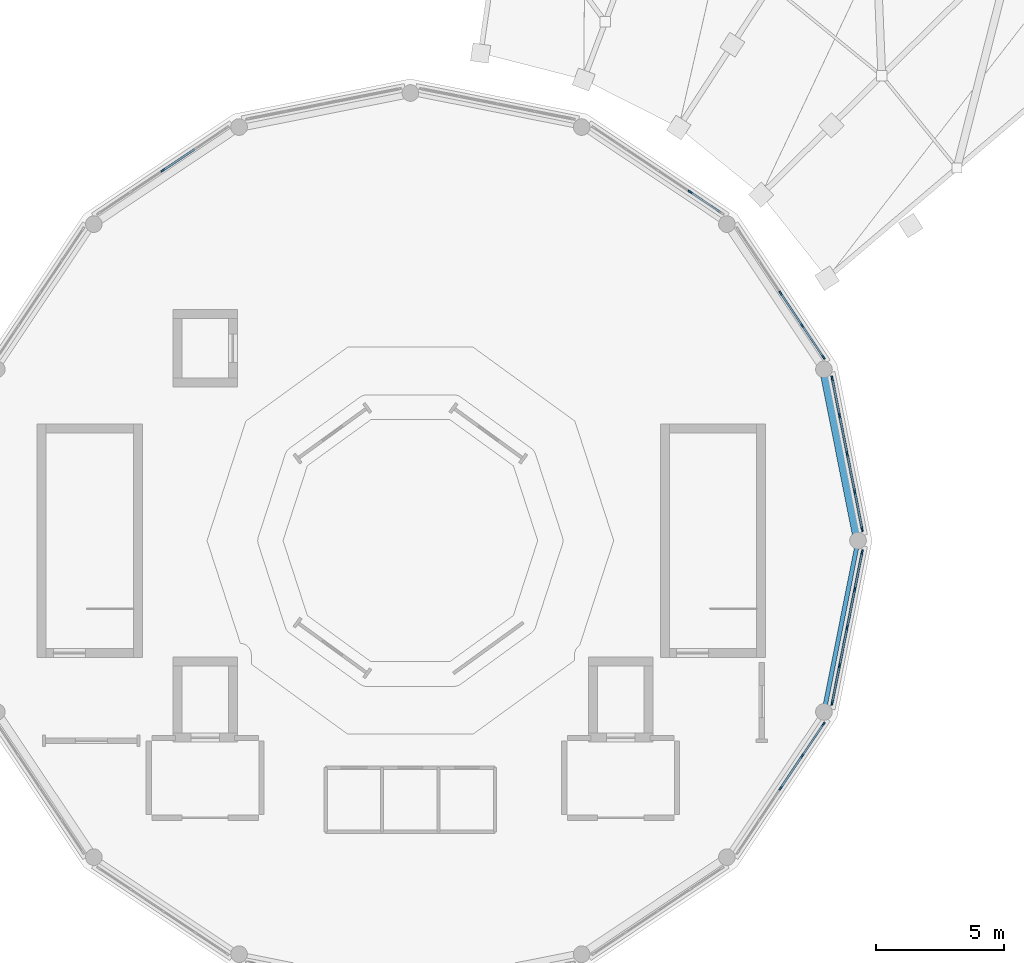
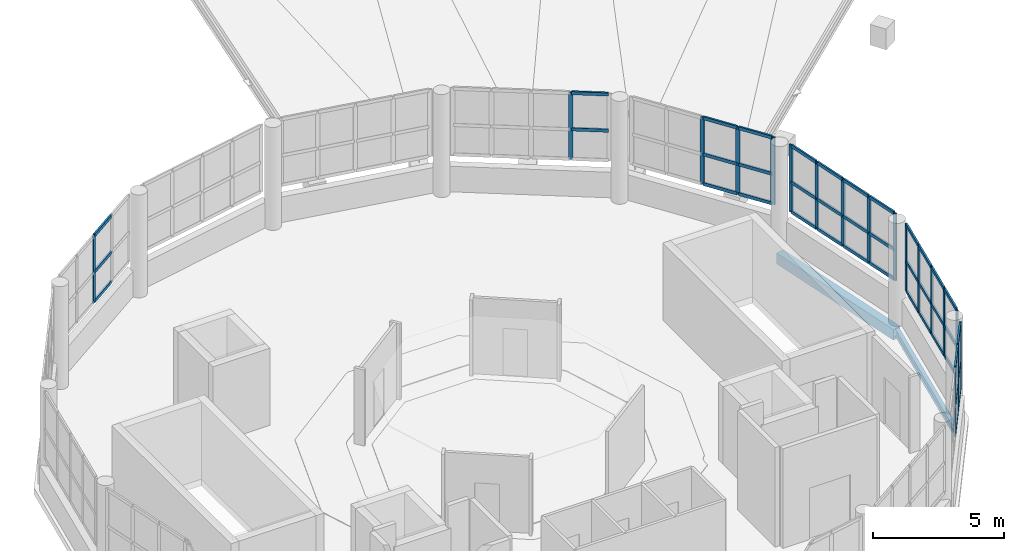
# One storey, part 5 of 12: 59 members, 2 beams, 6 elements without a shape of their own.
"""IFC4 building model written with IfcOpenShell, lengths in metres."""

from ifc_helpers import new_model, si_unit, direction, frame, origin, origin_2d, place, context, subcontext, project, spatial, rectangle, i_section, extrude, material, material_profile, profile_set, type_object, element, aggregate, save


model = new_model("IFC4")

# Units and contexts
model_context = context("Model", 3, precision=1e-05, world=origin(), true_north=direction((0.0, 1.0)))
body_context = subcontext(model_context, "Body", "Model", "MODEL_VIEW")
ifc_project = project(units=[si_unit("LENGTHUNIT", "METRE"), si_unit("AREAUNIT", "SQUARE_METRE"), si_unit("VOLUMEUNIT", "CUBIC_METRE"), si_unit("PLANEANGLEUNIT", "RADIAN"), si_unit("MASSUNIT", "GRAM", prefix="KILO")], contexts=[model_context])

# Site, building, storey
site_placement = place(None, origin())
site = spatial("IfcSite", under=ifc_project, at=site_placement, CompositionType="ELEMENT")
building_placement = place(site_placement, origin())
building = spatial("IfcBuilding", under=site, at=building_placement, Name="Soyqirgoq Riverine Aquarium", CompositionType="ELEMENT")
storey_placement = place(building_placement, frame((0.0, 0.0, 24.60009765625)))
storey = spatial("IfcBuildingStorey", under=building, at=storey_placement, Name="L06", CompositionType="ELEMENT", Elevation=24.60009765625)

# Curtain wall, members
ifc_material_1 = material(Name="Anodised aluminium acoustic solar-control clerestory glazing", Category="aluminium")
curtain_wall_type = type_object("IfcCurtainWallType", Name="CW_Clerestory_Ring", PredefinedType="NOTDEFINED", material=ifc_material_1)
curtain_wall_1_placement = place(storey_placement, origin())
curtain_wall_1 = element("IfcCurtainWall", 1, at=curtain_wall_1_placement, inside=storey, type_object=curtain_wall_type, Name="V1 L06 Curtain Wall 006", PredefinedType="NOTDEFINED")
ifc_material_2 = material(Name="Anodised aluminium 6063-T6", Category="aluminium")
ifc_material_profile_1 = material_profile(ifc_material_2, rectangle(XDim=0.06494140625, YDim=0.179931640625, at=origin_2d()), Name="ALU-M 65x180")
ifc_profile_set_1 = profile_set([ifc_material_profile_1], Name="Anodised aluminium 6063-T6")
member_type_1 = type_object("IfcMemberType", Name="CWMullion_65x180", PredefinedType="MULLION", material=ifc_profile_set_1)
member_1_placement = place(storey_placement, frame((73.61181640625, 57.44384765625, 1.619873046875), z_axis=(0.0, 0.0, 1.0), x_axis=(-0.980784299821, -0.19509525167, 0.0)))
member_1 = element("IfcMember", 2, at=member_1_placement, type_object=member_type_1, Name="CW-02 mullion 1", PredefinedType="MULLION", context=body_context, shape_type="SweptSolid", body=[
    extrude(rectangle(XDim=0.06494140625, YDim=0.179931640625, at=origin_2d()), origin(), (0.0, 0.0, 1.0), 3.14013671875),
])
member_2_placement = place(storey_placement, frame((73.322265625, 58.8994140625, 1.619873046875), z_axis=(0.0, 0.0, 1.0), x_axis=(-0.980784299821, -0.19509525167, 0.0)))
member_2 = element("IfcMember", 3, at=member_2_placement, type_object=member_type_1, Name="CW-02 mullion 2", PredefinedType="MULLION", context=body_context, shape_type="SweptSolid", body=[
    extrude(rectangle(XDim=0.06494140625, YDim=0.179931640625, at=origin_2d()), origin(), (0.0, 0.0, 1.0), 3.14013671875),
])
member_3_placement = place(storey_placement, frame((73.0263671875, 60.38671875, 1.619873046875), z_axis=(0.0, 0.0, 1.0), x_axis=(-0.980784299821, -0.19509525167, 0.0)))
member_3 = element("IfcMember", 4, at=member_3_placement, type_object=member_type_1, Name="CW-02 mullion 3", PredefinedType="MULLION", context=body_context, shape_type="SweptSolid", body=[
    extrude(rectangle(XDim=0.06494140625, YDim=0.179931640625, at=origin_2d()), origin(), (0.0, 0.0, 1.0), 3.14013671875),
])
member_4_placement = place(storey_placement, frame((72.73046875, 61.874267578125, 1.619873046875), z_axis=(0.0, 0.0, 1.0), x_axis=(-0.980784299821, -0.19509525167, 0.0)))
member_4 = element("IfcMember", 5, at=member_4_placement, type_object=member_type_1, Name="CW-02 mullion 4", PredefinedType="MULLION", context=body_context, shape_type="SweptSolid", body=[
    extrude(rectangle(XDim=0.06494140625, YDim=0.179931640625, at=origin_2d()), origin(), (0.0, 0.0, 1.0), 3.14013671875),
])
member_5_placement = place(storey_placement, frame((72.44091796875, 63.329833984375, 1.619873046875), z_axis=(0.0, 0.0, 1.0), x_axis=(-0.980784299821, -0.19509525167, 0.0)))
member_5 = element("IfcMember", 6, at=member_5_placement, type_object=member_type_1, Name="CW-02 mullion 5", PredefinedType="MULLION", context=body_context, shape_type="SweptSolid", body=[
    extrude(rectangle(XDim=0.06494140625, YDim=0.179931640625, at=origin_2d()), origin(), (0.0, 0.0, 1.0), 3.14013671875),
])

curtain_wall_2_placement = place(storey_placement, origin())
curtain_wall_2 = element("IfcCurtainWall", 7, at=curtain_wall_2_placement, inside=storey, type_object=curtain_wall_type, Name="V1 L06 Curtain Wall 008", PredefinedType="NOTDEFINED")
member_6_placement = place(storey_placement, frame((72.101318359375, 64.149658203125, 1.619873046875), z_axis=(0.0, 0.0, 1.0), x_axis=(-0.831463994905, -0.555578639957, 0.0)))
member_6 = element("IfcMember", 8, at=member_6_placement, type_object=member_type_1, Name="CW-02 mullion 1", PredefinedType="MULLION", context=body_context, shape_type="SweptSolid", body=[
    extrude(rectangle(XDim=0.06494140625, YDim=0.179931640625, at=origin_2d()), origin(), (0.0, 0.0, 1.0), 3.14013671875),
])
member_7_placement = place(storey_placement, frame((71.27685546875, 65.3837890625, 1.619873046875), z_axis=(0.0, 0.0, 1.0), x_axis=(-0.831463994905, -0.555578639957, 0.0)))
member_7 = element("IfcMember", 9, at=member_7_placement, type_object=member_type_1, Name="CW-02 mullion 2", PredefinedType="MULLION", context=body_context, shape_type="SweptSolid", body=[
    extrude(rectangle(XDim=0.06494140625, YDim=0.179931640625, at=origin_2d()), origin(), (0.0, 0.0, 1.0), 3.14013671875),
])
member_8_placement = place(storey_placement, frame((70.434326171875, 66.64453125, 1.619873046875), z_axis=(0.0, 0.0, 1.0), x_axis=(-0.831463994905, -0.555578639957, 0.0)))
member_8 = element("IfcMember", 10, at=member_8_placement, type_object=member_type_1, Name="CW-02 mullion 3", PredefinedType="MULLION", context=body_context, shape_type="SweptSolid", body=[
    extrude(rectangle(XDim=0.06494140625, YDim=0.179931640625, at=origin_2d()), origin(), (0.0, 0.0, 1.0), 3.14013671875),
])

# Curtain wall, member
curtain_wall_3_placement = place(storey_placement, origin())
curtain_wall_3 = element("IfcCurtainWall", 11, at=curtain_wall_3_placement, inside=storey, type_object=curtain_wall_type, Name="V1 L06 Curtain Wall 010", PredefinedType="NOTDEFINED")
member_9_placement = place(storey_placement, frame((66.905517578125, 70.591796875, 1.619873046875), z_axis=(0.0, 0.0, 1.0), x_axis=(-0.555578639957, -0.831463994905, 0.0)))
member_9 = element("IfcMember", 12, at=member_9_placement, type_object=member_type_1, Name="CW-02 mullion 2", PredefinedType="MULLION", context=body_context, shape_type="SweptSolid", body=[
    extrude(rectangle(XDim=0.06494140625, YDim=0.179931640625, at=origin_2d()), origin(), (0.0, 0.0, 1.0), 3.14013671875),
])

curtain_wall_4_placement = place(storey_placement, origin())
curtain_wall_4 = element("IfcCurtainWall", 13, at=curtain_wall_4_placement, inside=storey, type_object=curtain_wall_type, Name="V1 L06 Curtain Wall 021", PredefinedType="NOTDEFINED")
member_10_placement = place(storey_placement, frame((46.35546875, 71.434326171875, 1.619873046875), z_axis=(0.0, 0.0, 1.0), x_axis=(0.555578639957, -0.831463994905, 0.0)))
member_10 = element("IfcMember", 14, at=member_10_placement, type_object=member_type_1, Name="CW-02 mullion 3", PredefinedType="MULLION", context=body_context, shape_type="SweptSolid", body=[
    extrude(rectangle(XDim=0.06494140625, YDim=0.179931640625, at=origin_2d()), origin(), (0.0, 0.0, 1.0), 3.14013671875),
])

# Curtain wall, members
curtain_wall_5_placement = place(storey_placement, origin())
curtain_wall_5 = element("IfcCurtainWall", 15, at=curtain_wall_5_placement, inside=storey, type_object=curtain_wall_type, Name="V1 L06 Curtain Wall 070", PredefinedType="NOTDEFINED")
member_11_placement = place(storey_placement, frame((70.434326171875, 47.35546875, 1.619873046875), z_axis=(0.0, 0.0, 1.0), x_axis=(-0.831463994905, 0.555578639957, 0.0)))
member_11 = element("IfcMember", 16, at=member_11_placement, type_object=member_type_1, Name="CW-02 mullion 3", PredefinedType="MULLION", context=body_context, shape_type="SweptSolid", body=[
    extrude(rectangle(XDim=0.06494140625, YDim=0.179931640625, at=origin_2d()), origin(), (0.0, 0.0, 1.0), 3.14013671875),
])
member_12_placement = place(storey_placement, frame((71.27685546875, 48.6162109375, 1.619873046875), z_axis=(0.0, 0.0, 1.0), x_axis=(-0.831463994905, 0.555578639957, 0.0)))
member_12 = element("IfcMember", 17, at=member_12_placement, type_object=member_type_1, Name="CW-02 mullion 4", PredefinedType="MULLION", context=body_context, shape_type="SweptSolid", body=[
    extrude(rectangle(XDim=0.06494140625, YDim=0.179931640625, at=origin_2d()), origin(), (0.0, 0.0, 1.0), 3.14013671875),
])
member_13_placement = place(storey_placement, frame((72.101318359375, 49.850341796875, 1.619873046875), z_axis=(0.0, 0.0, 1.0), x_axis=(-0.831463994905, 0.555578639957, 0.0)))
member_13 = element("IfcMember", 18, at=member_13_placement, type_object=member_type_1, Name="CW-02 mullion 5", PredefinedType="MULLION", context=body_context, shape_type="SweptSolid", body=[
    extrude(rectangle(XDim=0.06494140625, YDim=0.179931640625, at=origin_2d()), origin(), (0.0, 0.0, 1.0), 3.14013671875),
])

curtain_wall_6_placement = place(storey_placement, origin())
curtain_wall_6 = element("IfcCurtainWall", 19, at=curtain_wall_6_placement, inside=storey, type_object=curtain_wall_type, Name="V1 L06 Curtain Wall 077", PredefinedType="NOTDEFINED")
member_14_placement = place(storey_placement, frame((72.44091796875, 50.670166015625, 1.619873046875), z_axis=(0.0, 0.0, 1.0), x_axis=(-0.980784299821, 0.19509525167, 0.0)))
member_14 = element("IfcMember", 20, at=member_14_placement, type_object=member_type_1, Name="CW-02 mullion 1", PredefinedType="MULLION", context=body_context, shape_type="SweptSolid", body=[
    extrude(rectangle(XDim=0.06494140625, YDim=0.179931640625, at=origin_2d()), origin(), (0.0, 0.0, 1.0), 3.14013671875),
])
member_15_placement = place(storey_placement, frame((72.73046875, 52.125732421875, 1.619873046875), z_axis=(0.0, 0.0, 1.0), x_axis=(-0.980784299821, 0.19509525167, 0.0)))
member_15 = element("IfcMember", 21, at=member_15_placement, type_object=member_type_1, Name="CW-02 mullion 2", PredefinedType="MULLION", context=body_context, shape_type="SweptSolid", body=[
    extrude(rectangle(XDim=0.06494140625, YDim=0.179931640625, at=origin_2d()), origin(), (0.0, 0.0, 1.0), 3.14013671875),
])
member_16_placement = place(storey_placement, frame((73.0263671875, 53.61328125, 1.619873046875), z_axis=(0.0, 0.0, 1.0), x_axis=(-0.980784299821, 0.19509525167, 0.0)))
member_16 = element("IfcMember", 22, at=member_16_placement, type_object=member_type_1, Name="CW-02 mullion 3", PredefinedType="MULLION", context=body_context, shape_type="SweptSolid", body=[
    extrude(rectangle(XDim=0.06494140625, YDim=0.179931640625, at=origin_2d()), origin(), (0.0, 0.0, 1.0), 3.14013671875),
])
member_17_placement = place(storey_placement, frame((73.322265625, 55.1005859375, 1.619873046875), z_axis=(0.0, 0.0, 1.0), x_axis=(-0.980784299821, 0.19509525167, 0.0)))
member_17 = element("IfcMember", 23, at=member_17_placement, type_object=member_type_1, Name="CW-02 mullion 4", PredefinedType="MULLION", context=body_context, shape_type="SweptSolid", body=[
    extrude(rectangle(XDim=0.06494140625, YDim=0.179931640625, at=origin_2d()), origin(), (0.0, 0.0, 1.0), 3.14013671875),
])
member_18_placement = place(storey_placement, frame((73.61181640625, 56.55615234375, 1.619873046875), z_axis=(0.0, 0.0, 1.0), x_axis=(-0.980784299821, 0.19509525167, 0.0)))
member_18 = element("IfcMember", 24, at=member_18_placement, type_object=member_type_1, Name="CW-02 mullion 5", PredefinedType="MULLION", context=body_context, shape_type="SweptSolid", body=[
    extrude(rectangle(XDim=0.06494140625, YDim=0.179931640625, at=origin_2d()), origin(), (0.0, 0.0, 1.0), 3.14013671875),
])

# Member
ifc_material_3 = material(Name="Anodised aluminium 6063-T6", Category="aluminium")
ifc_material_profile_2 = material_profile(ifc_material_3, rectangle(XDim=0.074951171875, YDim=0.14990234375, at=origin_2d()), Name="ALU-T 75x150")
ifc_profile_set_2 = profile_set([ifc_material_profile_2], Name="Anodised aluminium 6063-T6")
member_type_2 = type_object("IfcMemberType", Name="CWTransom_75x150", PredefinedType="USERDEFINED", material=ifc_profile_set_2)
member_19_placement = place(storey_placement, frame((73.60546875, 57.4755859375, 1.657470703125), z_axis=(-0.195090420246, 0.980785260864, 0.0), x_axis=(-0.980785260864, -0.195090420246, 0.0)))
member_19 = element("IfcMember", 25, at=member_19_placement, type_object=member_type_2, Name="CW-02 transom 1.1", ObjectType="TRANSOM", PredefinedType="USERDEFINED", context=body_context, shape_type="SweptSolid", body=[
    extrude(rectangle(XDim=0.074951171875, YDim=0.14990234375, at=origin_2d()), origin(), (0.0, 0.0, 1.0), 1.419189453125),
])

member_20_placement = place(storey_placement, frame((73.60546875, 57.4755859375, 3.032958984375), z_axis=(-0.195090420246, 0.980785260864, 0.0), x_axis=(-0.980785260864, -0.195090420246, 0.0)))
member_20 = element("IfcMember", 26, at=member_20_placement, type_object=member_type_2, Name="CW-02 transom 1.2", ObjectType="TRANSOM", PredefinedType="USERDEFINED", context=body_context, shape_type="SweptSolid", body=[
    extrude(rectangle(XDim=0.074951171875, YDim=0.14990234375, at=origin_2d()), origin(), (0.0, 0.0, 1.0), 1.419189453125),
])

member_21_placement = place(storey_placement, frame((73.60546875, 57.4755859375, 4.722412109375), z_axis=(-0.195090420246, 0.980785260864, 0.0), x_axis=(-0.980785260864, -0.195090420246, 0.0)))
member_21 = element("IfcMember", 27, at=member_21_placement, type_object=member_type_2, Name="CW-02 transom 1.3", ObjectType="TRANSOM", PredefinedType="USERDEFINED", context=body_context, shape_type="SweptSolid", body=[
    extrude(rectangle(XDim=0.074951171875, YDim=0.14990234375, at=origin_2d()), origin(), (0.0, 0.0, 1.0), 1.419189453125),
])

member_22_placement = place(storey_placement, frame((73.31591796875, 58.93115234375, 1.657470703125), z_axis=(-0.195081112847, 0.980787112176, 0.0), x_axis=(-0.980787112176, -0.195081112847, 0.0)))
member_22 = element("IfcMember", 28, at=member_22_placement, type_object=member_type_2, Name="CW-02 transom 2.1", ObjectType="TRANSOM", PredefinedType="USERDEFINED", context=body_context, shape_type="SweptSolid", body=[
    extrude(rectangle(XDim=0.074951171875, YDim=0.14990234375, at=origin_2d()), origin(), (0.0, 0.0, 1.0), 1.45166015625),
])

member_23_placement = place(storey_placement, frame((73.31591796875, 58.93115234375, 3.032958984375), z_axis=(-0.195081112847, 0.980787112176, 0.0), x_axis=(-0.980787112176, -0.195081112847, 0.0)))
member_23 = element("IfcMember", 29, at=member_23_placement, type_object=member_type_2, Name="CW-02 transom 2.2", ObjectType="TRANSOM", PredefinedType="USERDEFINED", context=body_context, shape_type="SweptSolid", body=[
    extrude(rectangle(XDim=0.074951171875, YDim=0.14990234375, at=origin_2d()), origin(), (0.0, 0.0, 1.0), 1.45166015625),
])

member_24_placement = place(storey_placement, frame((73.31591796875, 58.93115234375, 4.722412109375), z_axis=(-0.195081112847, 0.980787112176, 0.0), x_axis=(-0.980787112176, -0.195081112847, 0.0)))
member_24 = element("IfcMember", 30, at=member_24_placement, type_object=member_type_2, Name="CW-02 transom 2.3", ObjectType="TRANSOM", PredefinedType="USERDEFINED", context=body_context, shape_type="SweptSolid", body=[
    extrude(rectangle(XDim=0.074951171875, YDim=0.14990234375, at=origin_2d()), origin(), (0.0, 0.0, 1.0), 1.45166015625),
])

member_25_placement = place(storey_placement, frame((73.02001953125, 60.418701171875, 1.657470703125), z_axis=(-0.195113295173, 0.980780710478, 0.0), x_axis=(-0.980780710478, -0.195113295173, 0.0)))
member_25 = element("IfcMember", 31, at=member_25_placement, type_object=member_type_2, Name="CW-02 transom 3.1", ObjectType="TRANSOM", PredefinedType="USERDEFINED", context=body_context, shape_type="SweptSolid", body=[
    extrude(rectangle(XDim=0.074951171875, YDim=0.14990234375, at=origin_2d()), origin(), (0.0, 0.0, 1.0), 1.451416015625),
])

member_26_placement = place(storey_placement, frame((73.02001953125, 60.418701171875, 3.032958984375), z_axis=(-0.195113295173, 0.980780710478, 0.0), x_axis=(-0.980780710478, -0.195113295173, 0.0)))
member_26 = element("IfcMember", 32, at=member_26_placement, type_object=member_type_2, Name="CW-02 transom 3.2", ObjectType="TRANSOM", PredefinedType="USERDEFINED", context=body_context, shape_type="SweptSolid", body=[
    extrude(rectangle(XDim=0.074951171875, YDim=0.14990234375, at=origin_2d()), origin(), (0.0, 0.0, 1.0), 1.451416015625),
])

member_27_placement = place(storey_placement, frame((73.02001953125, 60.418701171875, 4.722412109375), z_axis=(-0.195113295173, 0.980780710478, 0.0), x_axis=(-0.980780710478, -0.195113295173, 0.0)))
member_27 = element("IfcMember", 33, at=member_27_placement, type_object=member_type_2, Name="CW-02 transom 3.3", ObjectType="TRANSOM", PredefinedType="USERDEFINED", context=body_context, shape_type="SweptSolid", body=[
    extrude(rectangle(XDim=0.074951171875, YDim=0.14990234375, at=origin_2d()), origin(), (0.0, 0.0, 1.0), 1.451416015625),
])

member_28_placement = place(storey_placement, frame((72.72412109375, 61.906005859375, 1.657470703125), z_axis=(-0.195090420246, 0.980785260864, 0.0), x_axis=(-0.980785260864, -0.195090420246, 0.0)))
member_28 = element("IfcMember", 34, at=member_28_placement, type_object=member_type_2, Name="CW-02 transom 4.1", ObjectType="TRANSOM", PredefinedType="USERDEFINED", context=body_context, shape_type="SweptSolid", body=[
    extrude(rectangle(XDim=0.074951171875, YDim=0.14990234375, at=origin_2d()), origin(), (0.0, 0.0, 1.0), 1.419189453125),
])

member_29_placement = place(storey_placement, frame((72.72412109375, 61.906005859375, 3.032958984375), z_axis=(-0.195090420246, 0.980785260864, 0.0), x_axis=(-0.980785260864, -0.195090420246, 0.0)))
member_29 = element("IfcMember", 35, at=member_29_placement, type_object=member_type_2, Name="CW-02 transom 4.2", ObjectType="TRANSOM", PredefinedType="USERDEFINED", context=body_context, shape_type="SweptSolid", body=[
    extrude(rectangle(XDim=0.074951171875, YDim=0.14990234375, at=origin_2d()), origin(), (0.0, 0.0, 1.0), 1.419189453125),
])

member_30_placement = place(storey_placement, frame((72.72412109375, 61.906005859375, 4.722412109375), z_axis=(-0.195090420246, 0.980785260864, 0.0), x_axis=(-0.980785260864, -0.195090420246, 0.0)))
member_30 = element("IfcMember", 36, at=member_30_placement, type_object=member_type_2, Name="CW-02 transom 4.3", ObjectType="TRANSOM", PredefinedType="USERDEFINED", context=body_context, shape_type="SweptSolid", body=[
    extrude(rectangle(XDim=0.074951171875, YDim=0.14990234375, at=origin_2d()), origin(), (0.0, 0.0, 1.0), 1.419189453125),
])

aggregate(curtain_wall_1, [member_1, member_2, member_3, member_4, member_5, member_19, member_20, member_21, member_22, member_23, member_24, member_25, member_26, member_27, member_28, member_29, member_30])

member_31_placement = place(storey_placement, frame((72.083251953125, 64.1767578125, 1.657470703125), z_axis=(-0.55553367483, 0.831494038542, 0.0), x_axis=(-0.831494038542, -0.55553367483, 0.0)))
member_31 = element("IfcMember", 37, at=member_31_placement, type_object=member_type_2, Name="CW-02 transom 1.1", ObjectType="TRANSOM", PredefinedType="USERDEFINED", context=body_context, shape_type="SweptSolid", body=[
    extrude(rectangle(XDim=0.074951171875, YDim=0.14990234375, at=origin_2d()), origin(), (0.0, 0.0, 1.0), 1.4189453125),
])

member_32_placement = place(storey_placement, frame((72.083251953125, 64.1767578125, 3.032958984375), z_axis=(-0.55553367483, 0.831494038542, 0.0), x_axis=(-0.831494038542, -0.55553367483, 0.0)))
member_32 = element("IfcMember", 38, at=member_32_placement, type_object=member_type_2, Name="CW-02 transom 1.2", ObjectType="TRANSOM", PredefinedType="USERDEFINED", context=body_context, shape_type="SweptSolid", body=[
    extrude(rectangle(XDim=0.074951171875, YDim=0.14990234375, at=origin_2d()), origin(), (0.0, 0.0, 1.0), 1.4189453125),
])

member_33_placement = place(storey_placement, frame((72.083251953125, 64.1767578125, 4.722412109375), z_axis=(-0.55553367483, 0.831494038542, 0.0), x_axis=(-0.831494038542, -0.55553367483, 0.0)))
member_33 = element("IfcMember", 39, at=member_33_placement, type_object=member_type_2, Name="CW-02 transom 1.3", ObjectType="TRANSOM", PredefinedType="USERDEFINED", context=body_context, shape_type="SweptSolid", body=[
    extrude(rectangle(XDim=0.074951171875, YDim=0.14990234375, at=origin_2d()), origin(), (0.0, 0.0, 1.0), 1.4189453125),
])

member_34_placement = place(storey_placement, frame((71.2587890625, 65.41064453125, 1.657470703125), z_axis=(-0.555514980368, 0.831506528289, 0.0), x_axis=(-0.831506528289, -0.555514980368, 0.0)))
member_34 = element("IfcMember", 40, at=member_34_placement, type_object=member_type_2, Name="CW-02 transom 2.1", ObjectType="TRANSOM", PredefinedType="USERDEFINED", context=body_context, shape_type="SweptSolid", body=[
    extrude(rectangle(XDim=0.074951171875, YDim=0.14990234375, at=origin_2d()), origin(), (0.0, 0.0, 1.0), 1.45166015625),
])

member_35_placement = place(storey_placement, frame((71.2587890625, 65.41064453125, 3.032958984375), z_axis=(-0.555514980368, 0.831506528289, 0.0), x_axis=(-0.831506528289, -0.555514980368, 0.0)))
member_35 = element("IfcMember", 41, at=member_35_placement, type_object=member_type_2, Name="CW-02 transom 2.2", ObjectType="TRANSOM", PredefinedType="USERDEFINED", context=body_context, shape_type="SweptSolid", body=[
    extrude(rectangle(XDim=0.074951171875, YDim=0.14990234375, at=origin_2d()), origin(), (0.0, 0.0, 1.0), 1.45166015625),
])

member_36_placement = place(storey_placement, frame((71.2587890625, 65.41064453125, 4.722412109375), z_axis=(-0.555514980368, 0.831506528289, 0.0), x_axis=(-0.831506528289, -0.555514980368, 0.0)))
member_36 = element("IfcMember", 42, at=member_36_placement, type_object=member_type_2, Name="CW-02 transom 2.3", ObjectType="TRANSOM", PredefinedType="USERDEFINED", context=body_context, shape_type="SweptSolid", body=[
    extrude(rectangle(XDim=0.074951171875, YDim=0.14990234375, at=origin_2d()), origin(), (0.0, 0.0, 1.0), 1.45166015625),
])

aggregate(curtain_wall_2, [member_6, member_7, member_8, member_31, member_32, member_33, member_34, member_35, member_36])

member_37_placement = place(storey_placement, frame((68.112548828125, 69.78515625, 3.032958984375), z_axis=(-0.831414566046, 0.555652606731, 0.0), x_axis=(-0.555652606731, -0.831414566046, 0.0)))
member_37 = element("IfcMember", 43, at=member_37_placement, type_object=member_type_2, Name="CW-02 transom 1.2", ObjectType="TRANSOM", PredefinedType="USERDEFINED", context=body_context, shape_type="SweptSolid", body=[
    extrude(rectangle(XDim=0.074951171875, YDim=0.14990234375, at=origin_2d()), origin(), (0.0, 0.0, 1.0), 1.419189453125),
])

member_38_placement = place(storey_placement, frame((68.112548828125, 69.78515625, 4.722412109375), z_axis=(-0.831414566046, 0.555652606731, 0.0), x_axis=(-0.555652606731, -0.831414566046, 0.0)))
member_38 = element("IfcMember", 44, at=member_38_placement, type_object=member_type_2, Name="CW-02 transom 1.3", ObjectType="TRANSOM", PredefinedType="USERDEFINED", context=body_context, shape_type="SweptSolid", body=[
    extrude(rectangle(XDim=0.074951171875, YDim=0.14990234375, at=origin_2d()), origin(), (0.0, 0.0, 1.0), 1.419189453125),
])

aggregate(curtain_wall_3, [member_9, member_37, member_38])

member_39_placement = place(storey_placement, frame((47.58935546875, 72.2587890625, 1.657470703125), z_axis=(-0.831506528289, -0.555514980368, 0.0), x_axis=(0.555514980368, -0.831506528289, 0.0)))
member_39 = element("IfcMember", 45, at=member_39_placement, type_object=member_type_2, Name="CW-02 transom 2.1", ObjectType="TRANSOM", PredefinedType="USERDEFINED", context=body_context, shape_type="SweptSolid", body=[
    extrude(rectangle(XDim=0.074951171875, YDim=0.14990234375, at=origin_2d()), origin(), (0.0, 0.0, 1.0), 1.45166015625),
])

member_40_placement = place(storey_placement, frame((47.58935546875, 72.2587890625, 3.032958984375), z_axis=(-0.831506528289, -0.555514980368, 0.0), x_axis=(0.555514980368, -0.831506528289, 0.0)))
member_40 = element("IfcMember", 46, at=member_40_placement, type_object=member_type_2, Name="CW-02 transom 2.2", ObjectType="TRANSOM", PredefinedType="USERDEFINED", context=body_context, shape_type="SweptSolid", body=[
    extrude(rectangle(XDim=0.074951171875, YDim=0.14990234375, at=origin_2d()), origin(), (0.0, 0.0, 1.0), 1.45166015625),
])

member_41_placement = place(storey_placement, frame((47.58935546875, 72.2587890625, 4.722412109375), z_axis=(-0.831506528289, -0.555514980368, 0.0), x_axis=(0.555514980368, -0.831506528289, 0.0)))
member_41 = element("IfcMember", 47, at=member_41_placement, type_object=member_type_2, Name="CW-02 transom 2.3", ObjectType="TRANSOM", PredefinedType="USERDEFINED", context=body_context, shape_type="SweptSolid", body=[
    extrude(rectangle(XDim=0.074951171875, YDim=0.14990234375, at=origin_2d()), origin(), (0.0, 0.0, 1.0), 1.45166015625),
])

aggregate(curtain_wall_4, [member_10, member_39, member_40, member_41])

member_42_placement = place(storey_placement, frame((70.452392578125, 47.38232421875, 1.657470703125), z_axis=(0.555514980368, 0.831506528289, 0.0), x_axis=(-0.831506528289, 0.555514980368, 0.0)))
member_42 = element("IfcMember", 48, at=member_42_placement, type_object=member_type_2, Name="CW-02 transom 3.1", ObjectType="TRANSOM", PredefinedType="USERDEFINED", context=body_context, shape_type="SweptSolid", body=[
    extrude(rectangle(XDim=0.074951171875, YDim=0.14990234375, at=origin_2d()), origin(), (0.0, 0.0, 1.0), 1.45166015625),
])

member_43_placement = place(storey_placement, frame((70.452392578125, 47.38232421875, 3.032958984375), z_axis=(0.555514980368, 0.831506528289, 0.0), x_axis=(-0.831506528289, 0.555514980368, 0.0)))
member_43 = element("IfcMember", 49, at=member_43_placement, type_object=member_type_2, Name="CW-02 transom 3.2", ObjectType="TRANSOM", PredefinedType="USERDEFINED", context=body_context, shape_type="SweptSolid", body=[
    extrude(rectangle(XDim=0.074951171875, YDim=0.14990234375, at=origin_2d()), origin(), (0.0, 0.0, 1.0), 1.45166015625),
])

member_44_placement = place(storey_placement, frame((70.452392578125, 47.38232421875, 4.722412109375), z_axis=(0.555514980368, 0.831506528289, 0.0), x_axis=(-0.831506528289, 0.555514980368, 0.0)))
member_44 = element("IfcMember", 50, at=member_44_placement, type_object=member_type_2, Name="CW-02 transom 3.3", ObjectType="TRANSOM", PredefinedType="USERDEFINED", context=body_context, shape_type="SweptSolid", body=[
    extrude(rectangle(XDim=0.074951171875, YDim=0.14990234375, at=origin_2d()), origin(), (0.0, 0.0, 1.0), 1.45166015625),
])

member_45_placement = place(storey_placement, frame((71.294921875, 48.643310546875, 1.657470703125), z_axis=(0.55553367483, 0.831494038542, 0.0), x_axis=(-0.831494038542, 0.55553367483, 0.0)))
member_45 = element("IfcMember", 51, at=member_45_placement, type_object=member_type_2, Name="CW-02 transom 4.1", ObjectType="TRANSOM", PredefinedType="USERDEFINED", context=body_context, shape_type="SweptSolid", body=[
    extrude(rectangle(XDim=0.074951171875, YDim=0.14990234375, at=origin_2d()), origin(), (0.0, 0.0, 1.0), 1.4189453125),
])

member_46_placement = place(storey_placement, frame((71.294921875, 48.643310546875, 3.032958984375), z_axis=(0.55553367483, 0.831494038542, 0.0), x_axis=(-0.831494038542, 0.55553367483, 0.0)))
member_46 = element("IfcMember", 52, at=member_46_placement, type_object=member_type_2, Name="CW-02 transom 4.2", ObjectType="TRANSOM", PredefinedType="USERDEFINED", context=body_context, shape_type="SweptSolid", body=[
    extrude(rectangle(XDim=0.074951171875, YDim=0.14990234375, at=origin_2d()), origin(), (0.0, 0.0, 1.0), 1.4189453125),
])

member_47_placement = place(storey_placement, frame((71.294921875, 48.643310546875, 4.722412109375), z_axis=(0.55553367483, 0.831494038542, 0.0), x_axis=(-0.831494038542, 0.55553367483, 0.0)))
member_47 = element("IfcMember", 53, at=member_47_placement, type_object=member_type_2, Name="CW-02 transom 4.3", ObjectType="TRANSOM", PredefinedType="USERDEFINED", context=body_context, shape_type="SweptSolid", body=[
    extrude(rectangle(XDim=0.074951171875, YDim=0.14990234375, at=origin_2d()), origin(), (0.0, 0.0, 1.0), 1.4189453125),
])

aggregate(curtain_wall_5, [member_11, member_12, member_13, member_42, member_43, member_44, member_45, member_46, member_47])

member_48_placement = place(storey_placement, frame((72.447265625, 50.7021484375, 1.657470703125), z_axis=(0.195090420246, 0.980785260864, 0.0), x_axis=(-0.980785260864, 0.195090420246, 0.0)))
member_48 = element("IfcMember", 54, at=member_48_placement, type_object=member_type_2, Name="CW-02 transom 1.1", ObjectType="TRANSOM", PredefinedType="USERDEFINED", context=body_context, shape_type="SweptSolid", body=[
    extrude(rectangle(XDim=0.074951171875, YDim=0.14990234375, at=origin_2d()), origin(), (0.0, 0.0, 1.0), 1.419189453125),
])

member_49_placement = place(storey_placement, frame((72.447265625, 50.7021484375, 3.032958984375), z_axis=(0.195090420246, 0.980785260864, 0.0), x_axis=(-0.980785260864, 0.195090420246, 0.0)))
member_49 = element("IfcMember", 55, at=member_49_placement, type_object=member_type_2, Name="CW-02 transom 1.2", ObjectType="TRANSOM", PredefinedType="USERDEFINED", context=body_context, shape_type="SweptSolid", body=[
    extrude(rectangle(XDim=0.074951171875, YDim=0.14990234375, at=origin_2d()), origin(), (0.0, 0.0, 1.0), 1.419189453125),
])

member_50_placement = place(storey_placement, frame((72.447265625, 50.7021484375, 4.722412109375), z_axis=(0.195090420246, 0.980785260864, 0.0), x_axis=(-0.980785260864, 0.195090420246, 0.0)))
member_50 = element("IfcMember", 56, at=member_50_placement, type_object=member_type_2, Name="CW-02 transom 1.3", ObjectType="TRANSOM", PredefinedType="USERDEFINED", context=body_context, shape_type="SweptSolid", body=[
    extrude(rectangle(XDim=0.074951171875, YDim=0.14990234375, at=origin_2d()), origin(), (0.0, 0.0, 1.0), 1.419189453125),
])

member_51_placement = place(storey_placement, frame((72.73681640625, 52.15771484375, 1.657470703125), z_axis=(0.195113295173, 0.980780710478, 0.0), x_axis=(-0.980780710478, 0.195113295173, 0.0)))
member_51 = element("IfcMember", 57, at=member_51_placement, type_object=member_type_2, Name="CW-02 transom 2.1", ObjectType="TRANSOM", PredefinedType="USERDEFINED", context=body_context, shape_type="SweptSolid", body=[
    extrude(rectangle(XDim=0.074951171875, YDim=0.14990234375, at=origin_2d()), origin(), (0.0, 0.0, 1.0), 1.451416015625),
])

member_52_placement = place(storey_placement, frame((72.73681640625, 52.15771484375, 3.032958984375), z_axis=(0.195113295173, 0.980780710478, 0.0), x_axis=(-0.980780710478, 0.195113295173, 0.0)))
member_52 = element("IfcMember", 58, at=member_52_placement, type_object=member_type_2, Name="CW-02 transom 2.2", ObjectType="TRANSOM", PredefinedType="USERDEFINED", context=body_context, shape_type="SweptSolid", body=[
    extrude(rectangle(XDim=0.074951171875, YDim=0.14990234375, at=origin_2d()), origin(), (0.0, 0.0, 1.0), 1.451416015625),
])

member_53_placement = place(storey_placement, frame((72.73681640625, 52.15771484375, 4.722412109375), z_axis=(0.195113295173, 0.980780710478, 0.0), x_axis=(-0.980780710478, 0.195113295173, 0.0)))
member_53 = element("IfcMember", 59, at=member_53_placement, type_object=member_type_2, Name="CW-02 transom 2.3", ObjectType="TRANSOM", PredefinedType="USERDEFINED", context=body_context, shape_type="SweptSolid", body=[
    extrude(rectangle(XDim=0.074951171875, YDim=0.14990234375, at=origin_2d()), origin(), (0.0, 0.0, 1.0), 1.451416015625),
])

member_54_placement = place(storey_placement, frame((73.03271484375, 53.64501953125, 1.657470703125), z_axis=(0.195081112847, 0.980787112176, 0.0), x_axis=(-0.980787112176, 0.195081112847, 0.0)))
member_54 = element("IfcMember", 60, at=member_54_placement, type_object=member_type_2, Name="CW-02 transom 3.1", ObjectType="TRANSOM", PredefinedType="USERDEFINED", context=body_context, shape_type="SweptSolid", body=[
    extrude(rectangle(XDim=0.074951171875, YDim=0.14990234375, at=origin_2d()), origin(), (0.0, 0.0, 1.0), 1.45166015625),
])

member_55_placement = place(storey_placement, frame((73.03271484375, 53.64501953125, 3.032958984375), z_axis=(0.195081112847, 0.980787112176, 0.0), x_axis=(-0.980787112176, 0.195081112847, 0.0)))
member_55 = element("IfcMember", 61, at=member_55_placement, type_object=member_type_2, Name="CW-02 transom 3.2", ObjectType="TRANSOM", PredefinedType="USERDEFINED", context=body_context, shape_type="SweptSolid", body=[
    extrude(rectangle(XDim=0.074951171875, YDim=0.14990234375, at=origin_2d()), origin(), (0.0, 0.0, 1.0), 1.45166015625),
])

member_56_placement = place(storey_placement, frame((73.03271484375, 53.64501953125, 4.722412109375), z_axis=(0.195081112847, 0.980787112176, 0.0), x_axis=(-0.980787112176, 0.195081112847, 0.0)))
member_56 = element("IfcMember", 62, at=member_56_placement, type_object=member_type_2, Name="CW-02 transom 3.3", ObjectType="TRANSOM", PredefinedType="USERDEFINED", context=body_context, shape_type="SweptSolid", body=[
    extrude(rectangle(XDim=0.074951171875, YDim=0.14990234375, at=origin_2d()), origin(), (0.0, 0.0, 1.0), 1.45166015625),
])

member_57_placement = place(storey_placement, frame((73.32861328125, 55.132568359375, 1.657470703125), z_axis=(0.195090420246, 0.980785260864, 0.0), x_axis=(-0.980785260864, 0.195090420246, 0.0)))
member_57 = element("IfcMember", 63, at=member_57_placement, type_object=member_type_2, Name="CW-02 transom 4.1", ObjectType="TRANSOM", PredefinedType="USERDEFINED", context=body_context, shape_type="SweptSolid", body=[
    extrude(rectangle(XDim=0.074951171875, YDim=0.14990234375, at=origin_2d()), origin(), (0.0, 0.0, 1.0), 1.419189453125),
])

member_58_placement = place(storey_placement, frame((73.32861328125, 55.132568359375, 3.032958984375), z_axis=(0.195090420246, 0.980785260864, 0.0), x_axis=(-0.980785260864, 0.195090420246, 0.0)))
member_58 = element("IfcMember", 64, at=member_58_placement, type_object=member_type_2, Name="CW-02 transom 4.2", ObjectType="TRANSOM", PredefinedType="USERDEFINED", context=body_context, shape_type="SweptSolid", body=[
    extrude(rectangle(XDim=0.074951171875, YDim=0.14990234375, at=origin_2d()), origin(), (0.0, 0.0, 1.0), 1.419189453125),
])

member_59_placement = place(storey_placement, frame((73.32861328125, 55.132568359375, 4.722412109375), z_axis=(0.195090420246, 0.980785260864, 0.0), x_axis=(-0.980785260864, 0.195090420246, 0.0)))
member_59 = element("IfcMember", 65, at=member_59_placement, type_object=member_type_2, Name="CW-02 transom 4.3", ObjectType="TRANSOM", PredefinedType="USERDEFINED", context=body_context, shape_type="SweptSolid", body=[
    extrude(rectangle(XDim=0.074951171875, YDim=0.14990234375, at=origin_2d()), origin(), (0.0, 0.0, 1.0), 1.419189453125),
])

aggregate(curtain_wall_6, [member_14, member_15, member_16, member_17, member_18, member_48, member_49, member_50, member_51, member_52, member_53, member_54, member_55, member_56, member_57, member_58, member_59])

# Beams
ifc_material_4 = material(Name="Concrete C40/50", Category="concrete")
ifc_material_profile_3 = material_profile(ifc_material_4, rectangle(XDim=0.35009765625, YDim=0.5, at=origin_2d()), Name="RC 350x500")
ifc_profile_set_3 = profile_set([ifc_material_profile_3], Name="Concrete C40/50")
beam_type_1 = type_object("IfcBeamType", Name="Spandrel_RC_350x500", PredefinedType="SPANDREL", material=ifc_profile_set_3)
beam_1_placement = place(storey_placement, frame((73.446044921875, 57.01953125, -0.550048828125), z_axis=(-0.195096390568, 0.980784073274, 0.0), x_axis=(-0.980784073274, -0.195096390568, 0.0)))
element("IfcBeam", 66, at=beam_1_placement, inside=storey, type_object=beam_type_1, Name="V1 L06 Drum Spandrel Beam 0138", PredefinedType="SPANDREL", context=body_context, shape_type="SweptSolid", body=[
    extrude(rectangle(XDim=0.35009765625, YDim=0.5, at=origin_2d()), origin(), (0.0, 0.0, 1.0), 6.768798828125),
])
ifc_material_5 = material(Name="Structural steel S355", Category="steel")
ifc_material_profile_4 = material_profile(ifc_material_5, i_section(OverallWidth=0.169921875, OverallDepth=0.360107421875, WebThickness=0.008056640625, FlangeThickness=0.0126953125, FilletRadius=0.01806640625, at=origin_2d()), Name="IPE 360")
ifc_profile_set_4 = profile_set([ifc_material_profile_4], Name="Structural steel S355")
beam_type_2 = type_object("IfcBeamType", Name="Spandrel_Steel_IPE360", PredefinedType="SPANDREL", material=ifc_profile_set_4)
beam_2_placement = place(storey_placement, frame((72.12548828125, 50.341796875, -0.47998046875), z_axis=(0.195096390568, 0.980784073274, 0.0), x_axis=(-0.980784073274, 0.195096390568, 0.0)))
element("IfcBeam", 67, at=beam_2_placement, inside=storey, type_object=beam_type_2, Name="V1 L06 Drum Spandrel Beam 0153", PredefinedType="SPANDREL", context=body_context, shape_type="SweptSolid", body=[
    extrude(i_section(OverallWidth=0.169921875, OverallDepth=0.360107421875, WebThickness=0.008056640625, FlangeThickness=0.0126953125, FilletRadius=0.01806640625, at=origin_2d()), origin(), (0.0, 0.0, 1.0), 6.768798828125),
])

save(model, "model.ifc")
